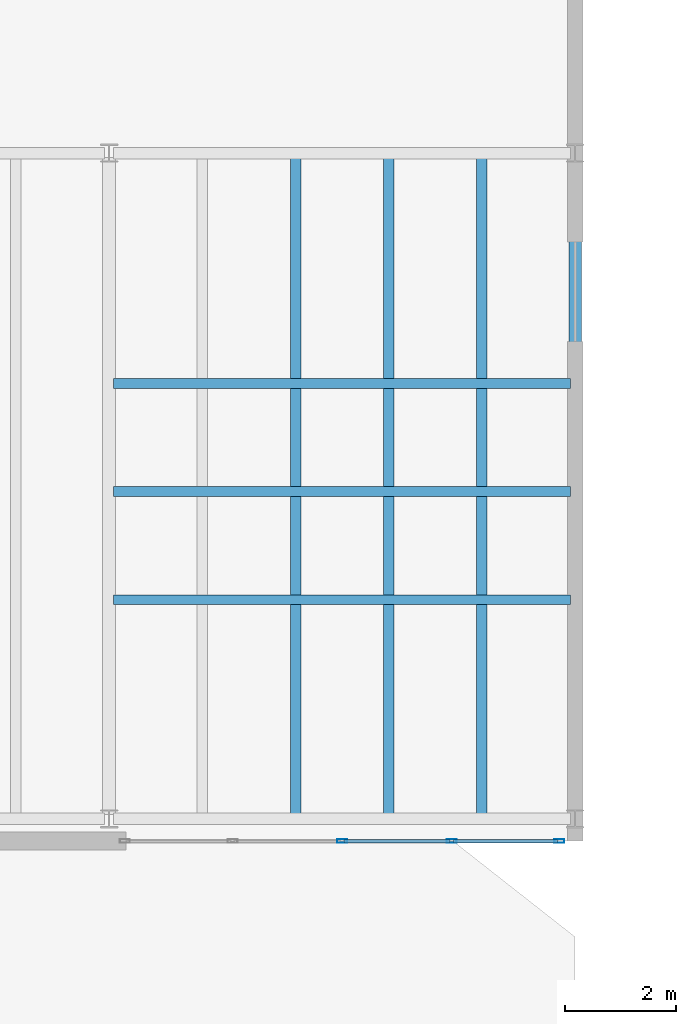
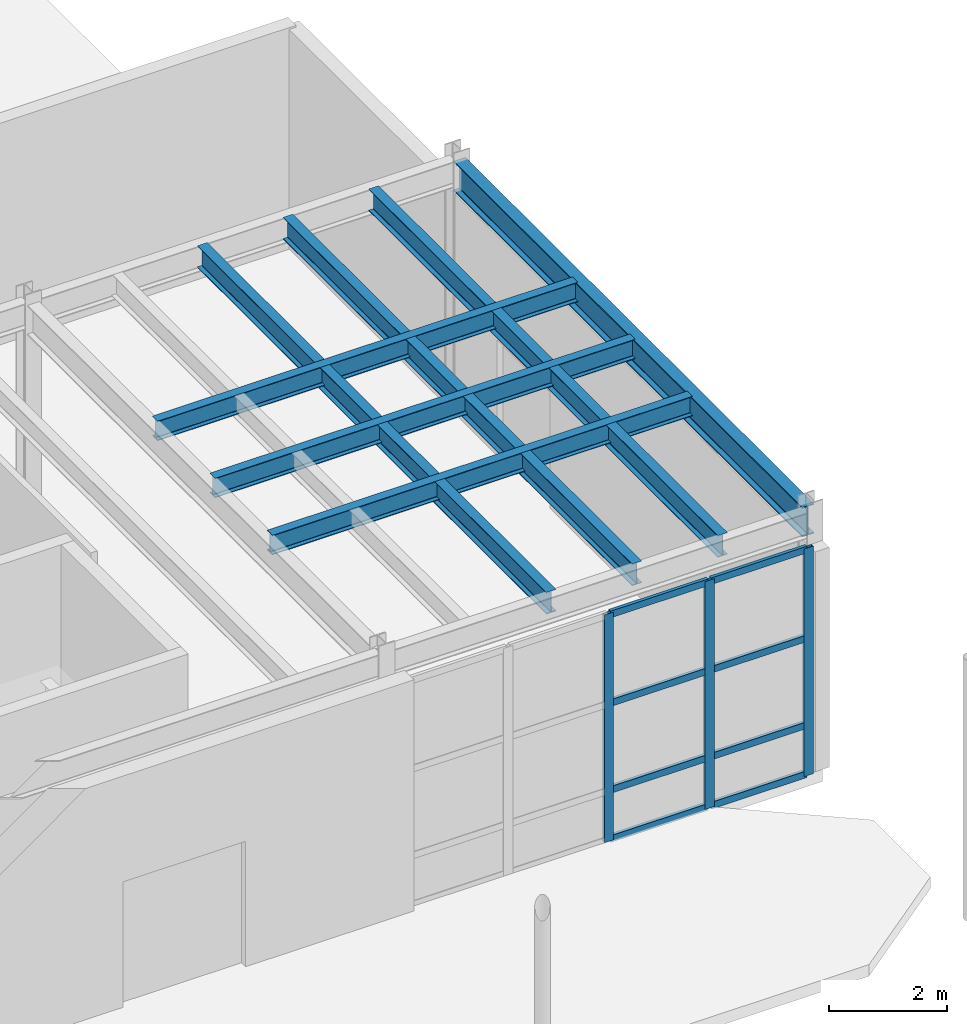
# One storey, part 40 of 87: 11 members, 7 beams, 1 element without a shape of its own.
"""IFC4 building model written with IfcOpenShell, lengths in metres."""

from ifc_helpers import new_model, si_unit, direction, frame, origin, origin_2d, place, context, subcontext, project, spatial, hollow_rectangle, i_section, extrude, material, layer, layer_set, material_profile, profile_set, type_object, element, aggregate, save


model = new_model("IFC4")

# Units and contexts
model_context = context("Model", 3, precision=1e-05, world=origin(), true_north=direction((0.0, 1.0)))
body_context = subcontext(model_context, "Body", "Model", "MODEL_VIEW")
ifc_project = project(units=[si_unit("LENGTHUNIT", "METRE"), si_unit("AREAUNIT", "SQUARE_METRE"), si_unit("VOLUMEUNIT", "CUBIC_METRE"), si_unit("PLANEANGLEUNIT", "RADIAN"), si_unit("MASSUNIT", "GRAM", prefix="KILO")], contexts=[model_context])

# Site, building, storey
site_placement = place(None, origin())
site = spatial("IfcSite", under=ifc_project, at=site_placement, CompositionType="ELEMENT")
building_placement = place(site_placement, origin())
building = spatial("IfcBuilding", under=site, at=building_placement, Name="Selat Folded Stagehouse", CompositionType="ELEMENT")
storey_placement = place(building_placement, origin())
storey = spatial("IfcBuildingStorey", under=building, at=storey_placement, Name="L00", CompositionType="ELEMENT", Elevation=0.0)

# Beam
ifc_material_1 = material(Name="Steel S355", Category="steel")
ifc_material_profile_1 = material_profile(ifc_material_1, i_section(OverallWidth=0.230224609375, OverallDepth=0.6171875, WebThickness=0.01318359375, FlangeThickness=0.022216796875, FilletRadius=0.0126953125, at=origin_2d()), Name="UKB 610x229x140")
ifc_profile_set_1 = profile_set([ifc_material_profile_1], Name="Steel S355")
beam_type_1 = type_object("IfcBeamType", Name="BM-GIRD-610x229x140", PredefinedType="BEAM", material=ifc_profile_set_1)
beam_placement = place(storey_placement, frame((117.60009765625, 5.8798828125, 4.871337890625), z_axis=(0.0, 1.0, 0.0), x_axis=(-1.0, 0.0, 0.0)))
element("IfcBeam", 1, at=beam_placement, inside=storey, type_object=beam_type_1, Name="L00 primary y-girder 0584", PredefinedType="BEAM", context=body_context, shape_type="SweptSolid", body=[
    extrude(i_section(OverallWidth=0.230224609375, OverallDepth=0.6171875, WebThickness=0.01318359375, FlangeThickness=0.022216796875, FilletRadius=0.0126953125, at=origin_2d()), origin(), (0.0, 0.0, 1.0), 11.840087890625),
])

# Curtain wall, members
ifc_material_2 = material(Name="Aluminium 6063-T6", Category="aluminium")
ifc_layer = layer(ifc_material_2, 0.2099609375)
ifc_layer_set = layer_set([ifc_layer], Name="Aluminium 6063-T6")
curtain_wall_type = type_object("IfcCurtainWallType", Name="CW-FYR-SOUTH", PredefinedType="NOTDEFINED", material=ifc_layer_set)
curtain_wall_placement = place(storey_placement, origin())
curtain_wall = element("IfcCurtainWall", 2, at=curtain_wall_placement, inside=storey, type_object=curtain_wall_type, Name="L00 curtain wall CW-FYR-L00-06", PredefinedType="NOTDEFINED")
ifc_material_profile_2 = material_profile(ifc_material_2, hollow_rectangle(XDim=0.06494140625, YDim=0.179931640625, WallThickness=0.00390625, at=origin_2d()), Name="ALU 180x65x4.0")
ifc_profile_set_2 = profile_set([ifc_material_profile_2], Name="Aluminium 6063-T6")
member_type_1 = type_object("IfcMemberType", Name="CWM-MUL-180x65", PredefinedType="MULLION", material=ifc_profile_set_2)
member_1_placement = place(storey_placement, frame((117.3173828125, 5.39990234375, 0.0), z_axis=(0.0, 0.0, 1.0), x_axis=(0.0, -1.0, 0.0)))
member_1 = element("IfcMember", 3, at=member_1_placement, type_object=member_type_1, Name="CW-04 mullion 1", PredefinedType="MULLION", context=body_context, shape_type="SweptSolid", body=[
    extrude(hollow_rectangle(XDim=0.06494140625, YDim=0.179931640625, WallThickness=0.00390625, at=origin_2d()), origin(), (0.0, 0.0, 1.0), 4.719970703125),
])
member_2_placement = place(storey_placement, frame((115.375, 5.39990234375, 0.0), z_axis=(0.0, 0.0, 1.0), x_axis=(0.0, -1.0, 0.0)))
member_2 = element("IfcMember", 4, at=member_2_placement, type_object=member_type_1, Name="CW-04 mullion 2", PredefinedType="MULLION", context=body_context, shape_type="SweptSolid", body=[
    extrude(hollow_rectangle(XDim=0.06494140625, YDim=0.179931640625, WallThickness=0.00390625, at=origin_2d()), origin(), (0.0, 0.0, 1.0), 4.719970703125),
])
member_3_placement = place(storey_placement, frame((113.39990234375, 5.39990234375, 0.0), z_axis=(0.0, 0.0, 1.0), x_axis=(0.0, -1.0, 0.0)))
member_3 = element("IfcMember", 5, at=member_3_placement, type_object=member_type_1, Name="CW-04 mullion 3", PredefinedType="MULLION", context=body_context, shape_type="SweptSolid", body=[
    extrude(hollow_rectangle(XDim=0.06494140625, YDim=0.179931640625, WallThickness=0.00390625, at=origin_2d()), origin(), (0.0, 0.0, 1.0), 4.719970703125),
])
ifc_material_profile_3 = material_profile(ifc_material_2, hollow_rectangle(XDim=0.06494140625, YDim=0.139892578125, WallThickness=0.00390625, at=origin_2d()), Name="ALU 140x65x4.0")
ifc_profile_set_3 = profile_set([ifc_material_profile_3], Name="Aluminium 6063-T6")
member_type_2 = type_object("IfcMemberType", Name="CWM-TRN-140x65", PredefinedType="USERDEFINED", material=ifc_profile_set_3)
member_4_placement = place(storey_placement, frame((117.284912109375, 5.39990234375, 0.032470703125), z_axis=(-1.0, 0.0, 0.0), x_axis=(0.0, -1.0, 0.0)))
member_4 = element("IfcMember", 6, at=member_4_placement, type_object=member_type_2, Name="CW-04 transom 1.1", ObjectType="TRANSOM", PredefinedType="USERDEFINED", context=body_context, shape_type="SweptSolid", body=[
    extrude(hollow_rectangle(XDim=0.06494140625, YDim=0.139892578125, WallThickness=0.00390625, at=origin_2d()), origin(), (0.0, 0.0, 1.0), 1.87744140625),
])
member_5_placement = place(storey_placement, frame((117.284912109375, 5.39990234375, 1.050048828125), z_axis=(-1.0, 0.0, 0.0), x_axis=(0.0, -1.0, 0.0)))
member_5 = element("IfcMember", 7, at=member_5_placement, type_object=member_type_2, Name="CW-04 transom 1.2", ObjectType="TRANSOM", PredefinedType="USERDEFINED", context=body_context, shape_type="SweptSolid", body=[
    extrude(hollow_rectangle(XDim=0.06494140625, YDim=0.139892578125, WallThickness=0.00390625, at=origin_2d()), origin(), (0.0, 0.0, 1.0), 1.87744140625),
])
member_6_placement = place(storey_placement, frame((117.284912109375, 5.39990234375, 2.85009765625), z_axis=(-1.0, 0.0, 0.0), x_axis=(0.0, -1.0, 0.0)))
member_6 = element("IfcMember", 8, at=member_6_placement, type_object=member_type_2, Name="CW-04 transom 1.3", ObjectType="TRANSOM", PredefinedType="USERDEFINED", context=body_context, shape_type="SweptSolid", body=[
    extrude(hollow_rectangle(XDim=0.06494140625, YDim=0.139892578125, WallThickness=0.00390625, at=origin_2d()), origin(), (0.0, 0.0, 1.0), 1.87744140625),
])
member_7_placement = place(storey_placement, frame((117.284912109375, 5.39990234375, 4.6875), z_axis=(-1.0, 0.0, 0.0), x_axis=(0.0, -1.0, 0.0)))
member_7 = element("IfcMember", 9, at=member_7_placement, type_object=member_type_2, Name="CW-04 transom 1.4", ObjectType="TRANSOM", PredefinedType="USERDEFINED", context=body_context, shape_type="SweptSolid", body=[
    extrude(hollow_rectangle(XDim=0.06494140625, YDim=0.139892578125, WallThickness=0.00390625, at=origin_2d()), origin(), (0.0, 0.0, 1.0), 1.87744140625),
])
member_8_placement = place(storey_placement, frame((115.342529296875, 5.39990234375, 0.032470703125), z_axis=(-1.0, 0.0, 0.0), x_axis=(0.0, -1.0, 0.0)))
member_8 = element("IfcMember", 10, at=member_8_placement, type_object=member_type_2, Name="CW-04 transom 2.1", ObjectType="TRANSOM", PredefinedType="USERDEFINED", context=body_context, shape_type="SweptSolid", body=[
    extrude(hollow_rectangle(XDim=0.06494140625, YDim=0.139892578125, WallThickness=0.00390625, at=origin_2d()), origin(), (0.0, 0.0, 1.0), 1.909912109375),
])
member_9_placement = place(storey_placement, frame((115.342529296875, 5.39990234375, 1.050048828125), z_axis=(-1.0, 0.0, 0.0), x_axis=(0.0, -1.0, 0.0)))
member_9 = element("IfcMember", 11, at=member_9_placement, type_object=member_type_2, Name="CW-04 transom 2.2", ObjectType="TRANSOM", PredefinedType="USERDEFINED", context=body_context, shape_type="SweptSolid", body=[
    extrude(hollow_rectangle(XDim=0.06494140625, YDim=0.139892578125, WallThickness=0.00390625, at=origin_2d()), origin(), (0.0, 0.0, 1.0), 1.909912109375),
])
member_10_placement = place(storey_placement, frame((115.342529296875, 5.39990234375, 2.85009765625), z_axis=(-1.0, 0.0, 0.0), x_axis=(0.0, -1.0, 0.0)))
member_10 = element("IfcMember", 12, at=member_10_placement, type_object=member_type_2, Name="CW-04 transom 2.3", ObjectType="TRANSOM", PredefinedType="USERDEFINED", context=body_context, shape_type="SweptSolid", body=[
    extrude(hollow_rectangle(XDim=0.06494140625, YDim=0.139892578125, WallThickness=0.00390625, at=origin_2d()), origin(), (0.0, 0.0, 1.0), 1.909912109375),
])
member_11_placement = place(storey_placement, frame((115.342529296875, 5.39990234375, 4.6875), z_axis=(-1.0, 0.0, 0.0), x_axis=(0.0, -1.0, 0.0)))
member_11 = element("IfcMember", 13, at=member_11_placement, type_object=member_type_2, Name="CW-04 transom 2.4", ObjectType="TRANSOM", PredefinedType="USERDEFINED", context=body_context, shape_type="SweptSolid", body=[
    extrude(hollow_rectangle(XDim=0.06494140625, YDim=0.139892578125, WallThickness=0.00390625, at=origin_2d()), origin(), (0.0, 0.0, 1.0), 1.909912109375),
])
aggregate(curtain_wall, [member_1, member_2, member_3, member_4, member_5, member_6, member_7, member_8, member_9, member_10, member_11])

# Beams
ifc_material_profile_4 = material_profile(ifc_material_1, i_section(OverallWidth=0.177978515625, OverallDepth=0.406494140625, WebThickness=0.0078125, FlangeThickness=0.0126953125, FilletRadius=0.01025390625, at=origin_2d()), Name="UKB 406x178x60")
ifc_profile_set_4 = profile_set([ifc_material_profile_4], Name="Steel S355")
beam_type_2 = type_object("IfcBeamType", Name="JST-406x178x60", PredefinedType="JOIST", material=ifc_profile_set_4)
for number, where, z_axis, x_axis, name in (
    (14, (109.280517578125, 9.75, 4.976806640625), (1.0, 0.0, 0.0), (0.0, 1.0, 0.0), "L00 secondary x-joist 0711"),
    (15, (109.280517578125, 11.699951171875, 4.976806640625), (1.0, 0.0, 0.0), (0.0, 1.0, 0.0), "L00 secondary x-joist 0715"),
    (16, (109.280517578125, 13.64990234375, 4.976806640625), (1.0, 0.0, 0.0), (0.0, 1.0, 0.0), "L00 secondary x-joist 0719"),
):
    element("IfcBeam", number, at=place(storey_placement, frame(where, z_axis=z_axis, x_axis=x_axis)), inside=storey, type_object=beam_type_2, Name=name, PredefinedType="JOIST", context=body_context, shape_type="SweptSolid", body=[
        extrude(i_section(OverallWidth=0.177978515625, OverallDepth=0.406494140625, WebThickness=0.0078125, FlangeThickness=0.0126953125, FilletRadius=0.01025390625, at=origin_2d()), origin(), (0.0, 0.0, 1.0), 8.23876953125),
    ])
ifc_material_profile_5 = material_profile(ifc_material_1, i_section(OverallWidth=0.18994140625, OverallDepth=0.453369140625, WebThickness=0.008544921875, FlangeThickness=0.0126953125, FilletRadius=0.01025390625, at=origin_2d()), Name="UKB 457x191x67")
ifc_profile_set_5 = profile_set([ifc_material_profile_5], Name="Steel S355")
beam_type_3 = type_object("IfcBeamType", Name="JST-457x191x67", PredefinedType="JOIST", material=ifc_profile_set_5)
for number, where, z_axis, x_axis, name in (
    (17, (112.56005859375, 5.873291015625, 4.953369140625), (0.0, 1.0, 0.0), (-1.0, 0.0, 0.0), "L00 secondary floor joist 0680"),
    (18, (114.239990234375, 5.873291015625, 4.953369140625), (0.0, 1.0, 0.0), (-1.0, 0.0, 0.0), "L00 secondary floor joist 0681"),
    (19, (115.919921875, 5.873291015625, 4.953369140625), (0.0, 1.0, 0.0), (-1.0, 0.0, 0.0), "L00 secondary floor joist 0682"),
):
    element("IfcBeam", number, at=place(storey_placement, frame(where, z_axis=z_axis, x_axis=x_axis)), inside=storey, type_object=beam_type_3, Name=name, PredefinedType="JOIST", context=body_context, shape_type="SweptSolid", body=[
        extrude(i_section(OverallWidth=0.18994140625, OverallDepth=0.453369140625, WebThickness=0.008544921875, FlangeThickness=0.0126953125, FilletRadius=0.01025390625, at=origin_2d()), origin(), (0.0, 0.0, 1.0), 11.853515625),
    ])

save(model, "model.ifc")
